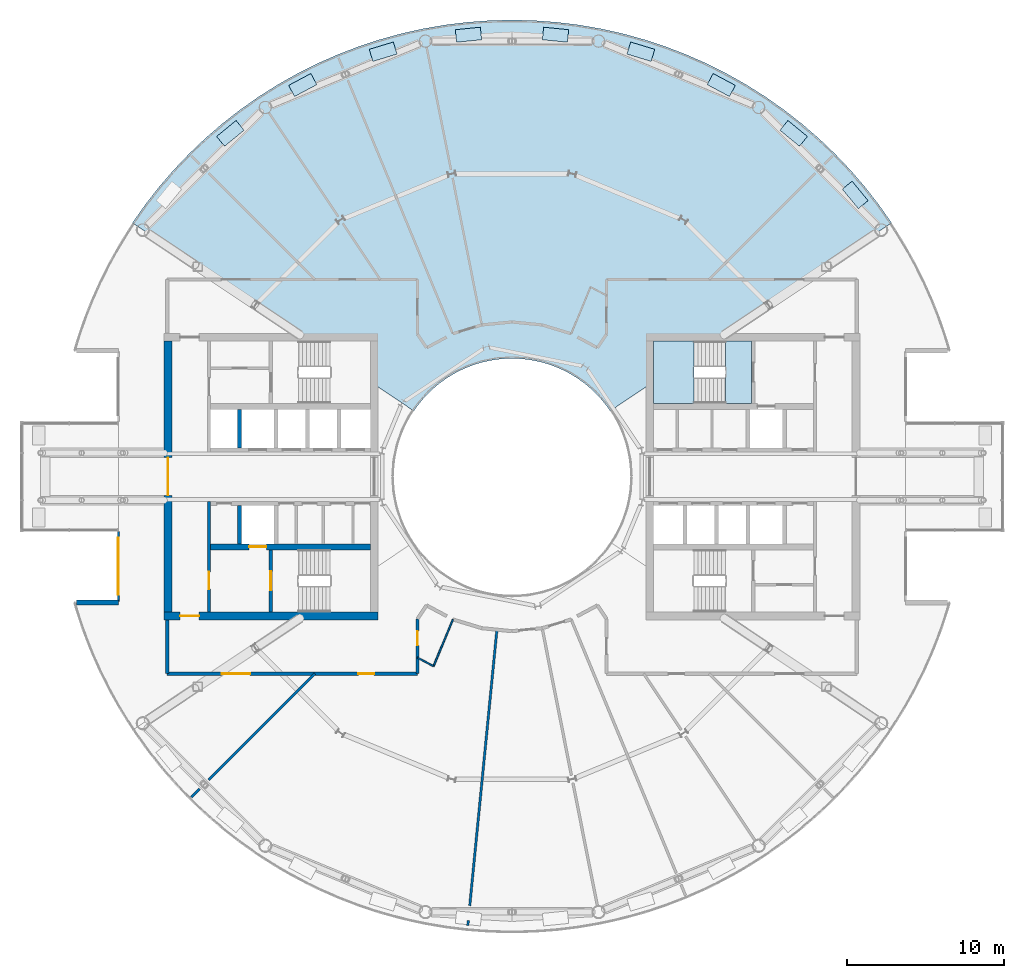
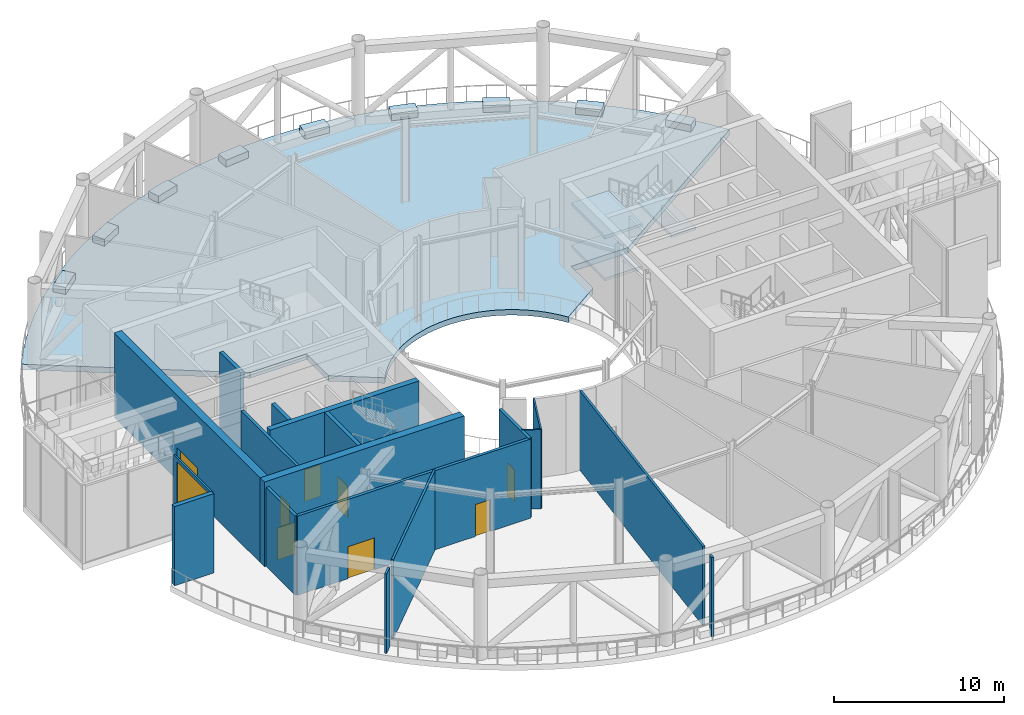
# One storey, part 12 of 24: 18 walls, 13 slabs, 8 doors, 1 window, 9 openings, 1 element without a shape of its own.
"""IFC4 building model written with IfcOpenShell, lengths in metres."""

import ifcopenshell
import ifcopenshell.guid

model = None  # the IFC model being written
_history = None  # IfcOwnerHistory: only IFC2X3 demands one
_inside = {}  # id of a spatial element -> (the spatial element, [elements in it])
_under = {}  # id of a project, library or spatial element -> (it, [spatial elements below it])
_declared = {}  # id of a project -> (the project, [libraries it declares])
_typed = {}  # id of a type object -> (the type object, [elements of that type])
_made_of = {}  # id of a material, layer set ... -> (it, [elements and type objects made of it])


def new_model(schema):
    """Start an empty IFC model of exactly this schema.

    Asked for "IFC4X3", IfcOpenShell would pick the latest addendum, in which some entities
    have other attributes; the version numbers below select the first issue.
    IFC2X3 requires an IfcOwnerHistory on every rooted entity: one is made here for all.
    """
    global model, _history
    if schema == "IFC4X3":
        model = ifcopenshell.file(schema_version=(4, 3, 0, 0))
    else:
        model = ifcopenshell.file(schema=schema)
    _inside.clear()
    _under.clear()
    _declared.clear()
    _typed.clear()
    _made_of.clear()
    _history = None
    if model.schema == "IFC2X3":
        org = make("IfcOrganization", Name="unknown")
        user = make(
            "IfcPersonAndOrganization",
            ThePerson=make("IfcPerson", FamilyName="unknown"),
            TheOrganization=org,
        )
        app = make(
            "IfcApplication",
            ApplicationDeveloper=org,
            Version="unknown",
            ApplicationFullName="unknown",
            ApplicationIdentifier="unknown",
        )
        _history = make(
            "IfcOwnerHistory",
            OwningUser=user,
            OwningApplication=app,
            ChangeAction="ADDED",
            CreationDate=0,
        )
    return model


def make(cls, **values):
    """One entity of the class cls with the attributes given. An attribute that is None is left unset."""
    return model.create_entity(
        cls, **{name: value for name, value in values.items() if value is not None}
    )


def rooted(cls, **values):
    """An entity with a GlobalId (a new one), such as an element, a storey or a relation."""
    return make(cls, GlobalId=ifcopenshell.guid.new(), OwnerHistory=_history, **values)


def si_unit(unit_type, name, prefix=None):
    """IfcSIUnit, for example si_unit("LENGTHUNIT", "METRE", prefix="MILLI")."""
    return make("IfcSIUnit", UnitType=unit_type, Prefix=prefix, Name=name)


def assignment(units):
    """IfcUnitAssignment: the units of a project."""
    return None if units is None else make("IfcUnitAssignment", Units=units)


def point(xyz):
    """IfcCartesianPoint."""
    return None if xyz is None else make("IfcCartesianPoint", Coordinates=xyz)


def direction(xyz):
    """IfcDirection."""
    return None if xyz is None else make("IfcDirection", DirectionRatios=xyz)


def frame(location, z_axis=None, x_axis=None):
    """IfcAxis2Placement3D, a coordinate frame: its origin and axes. An axis left out is left unset."""
    return make(
        "IfcAxis2Placement3D",
        Location=point(location),
        Axis=direction(z_axis),
        RefDirection=direction(x_axis),
    )


def frame_2d(location, x_axis=None):
    """IfcAxis2Placement2D, a coordinate frame in the plane: its origin and x axis."""
    return make(
        "IfcAxis2Placement2D", Location=point(location), RefDirection=direction(x_axis)
    )


def origin():
    """The frame at (0, 0, 0) with its axes left unset."""
    return frame((0.0, 0.0, 0.0))


def place(relative_to, where):
    """IfcLocalPlacement: puts the frame where relative to a parent placement (None: the world)."""
    return make(
        "IfcLocalPlacement", PlacementRelTo=relative_to, RelativePlacement=where
    )


def context(
    kind, dimensions, precision=None, world=None, true_north=None, identifier=None
):
    """IfcGeometricRepresentationContext, for example the 3D "Model" context."""
    return make(
        "IfcGeometricRepresentationContext",
        ContextIdentifier=identifier,
        ContextType=kind,
        CoordinateSpaceDimension=dimensions,
        Precision=precision,
        WorldCoordinateSystem=world,
        TrueNorth=true_north,
    )


def subcontext(parent, identifier, kind, view, scale=None):
    """IfcGeometricRepresentationSubContext, for example "Body" below "Model"."""
    return make(
        "IfcGeometricRepresentationSubContext",
        ContextIdentifier=identifier,
        ContextType=kind,
        ParentContext=parent,
        TargetScale=scale,
        TargetView=view,
    )


def project(units=None, contexts=None):
    """IfcProject with its units and contexts."""
    return rooted(
        "IfcProject",
        Name="project",
        RepresentationContexts=contexts,
        UnitsInContext=assignment(units),
    )


def spatial(cls, under=None, at=None, **own):
    """A site, building, storey or space (cls), placed at a placement, below another one or the project."""
    s = rooted(cls, ObjectPlacement=at, **own)
    if under is not None:
        _under.setdefault(under.id(), (under, []))[1].append(s)
    return s


def polyline(points):
    """IfcPolyline through the points."""
    return make("IfcPolyline", Points=[point(p) for p in points])


def profile(cls, at=None, kind="AREA", **sizes):
    """A parametric profile (cls). Its sizes go by their IFC names, for example OverallWidth=200.0."""
    return make(cls, ProfileType=kind, Position=at, **sizes)


def rectangle(**sizes):
    """IfcRectangleProfileDef."""
    return profile("IfcRectangleProfileDef", **sizes)


def outline(outer, holes=None, kind="AREA"):
    """IfcArbitraryClosedProfileDef: a profile drawn as a closed curve; with holes, ...WithVoids."""
    if holes is None:
        return make("IfcArbitraryClosedProfileDef", ProfileType=kind, OuterCurve=outer)
    return make(
        "IfcArbitraryProfileDefWithVoids",
        ProfileType=kind,
        OuterCurve=outer,
        InnerCurves=holes,
    )


def extrude(swept, where, along, depth):
    """IfcExtrudedAreaSolid: the profile swept, set in the frame where, extruded along a direction by depth."""
    return make(
        "IfcExtrudedAreaSolid",
        SweptArea=swept,
        Position=where,
        ExtrudedDirection=direction(along),
        Depth=depth,
    )


def shape(context_of_items, identifier, shape_type, items):
    """IfcShapeRepresentation: the items that make up one representation, for example the "Body"."""
    return make(
        "IfcShapeRepresentation",
        ContextOfItems=context_of_items,
        RepresentationIdentifier=identifier,
        RepresentationType=shape_type,
        Items=items,
    )


def material(Name=None, Category=None):
    """IfcMaterial."""
    return make("IfcMaterial", Name=Name, Category=Category)


def layer(
    of_material, thickness, ventilated=None, Name=None, Category=None, Priority=None
):
    """IfcMaterialLayer: one layer of a wall or slab, of a material (None: an air gap)."""
    return make(
        "IfcMaterialLayer",
        Material=of_material,
        LayerThickness=thickness,
        IsVentilated=ventilated,
        Name=Name,
        Category=Category,
        Priority=Priority,
    )


def layer_set(layers, Name=None):
    """IfcMaterialLayerSet."""
    return make("IfcMaterialLayerSet", MaterialLayers=layers, LayerSetName=Name)


def made_of(thing, what):
    """Note that an element or type object is made of a material, layer set ...; save() writes the relation."""
    if what is not None:
        _made_of.setdefault(what.id(), (what, []))[1].append(thing)
    return thing


def type_object(cls, material=None, **own):
    """A type object (cls), such as IfcWallType, which elements share."""
    return made_of(rooted(cls, **own), material)


def element(
    cls,
    number,
    at=None,
    inside=None,
    cuts=None,
    type_object=None,
    material=None,
    context=None,
    identifier="Body",
    shape_type=None,
    held_by="IfcProductDefinitionShape",
    body=None,
    shapes=None,
    **own,
):
    """One element of the class cls, such as IfcWall. Its Tag is "e" and its number.

    at: its placement. inside: the storey or other place that contains it. cuts: it is an
    opening in that element (IfcRelVoidsElement). A single representation is given by context,
    identifier, shape_type and body (its items); several are given by shapes. held_by: the class
    of the entity that holds the representations. save() writes the other relations.
    """
    e = rooted(cls, Tag="e%d" % number, ObjectPlacement=at, **own)
    if body is not None:
        shapes = [shape(context, identifier, shape_type, body)]
    if shapes is not None:
        e.Representation = make(held_by, Representations=shapes)
    if inside is not None:
        _inside.setdefault(inside.id(), (inside, []))[1].append(e)
    if cuts is not None:
        rooted(
            "IfcRelVoidsElement", RelatingBuildingElement=cuts, RelatedOpeningElement=e
        )
    if type_object is not None:
        _typed.setdefault(type_object.id(), (type_object, []))[1].append(e)
    return made_of(e, material)


def fill(opening, filler):
    """IfcRelFillsElement: the door or window that sits in an opening."""
    return rooted(
        "IfcRelFillsElement",
        RelatingOpeningElement=opening,
        RelatedBuildingElement=filler,
    )


def aggregate(whole, parts):
    """IfcRelAggregates: a whole, such as a stair, and the parts it consists of."""
    return rooted("IfcRelAggregates", RelatingObject=whole, RelatedObjects=parts)


def save(model, path):
    """Write the relations noted so far, then the file.

    IfcRelAggregates (storeys below a building ...), IfcRelContainedInSpatialStructure (elements
    in a storey), IfcRelDefinesByType, IfcRelAssociatesMaterial and IfcRelDeclares: one each for
    every whole, place, type object, material and project.
    """
    for whole, parts in _under.values():
        aggregate(whole, parts)
    for where, things in _inside.values():
        rooted(
            "IfcRelContainedInSpatialStructure",
            RelatedElements=things,
            RelatingStructure=where,
        )
    for kind, things in _typed.values():
        rooted("IfcRelDefinesByType", RelatedObjects=things, RelatingType=kind)
    for what, things in _made_of.values():
        rooted("IfcRelAssociatesMaterial", RelatedObjects=things, RelatingMaterial=what)
    for by, libraries in _declared.values():
        rooted("IfcRelDeclares", RelatingContext=by, RelatedDefinitions=libraries)
    model.write(path)


model = new_model("IFC4")

# Units and contexts
model_context = context("Model", 3, precision=1e-05, world=origin(), true_north=direction((0.0, 1.0)))
body_context = subcontext(model_context, "Body", "Model", "MODEL_VIEW")
ifc_project = project(units=[si_unit("LENGTHUNIT", "METRE"), si_unit("AREAUNIT", "SQUARE_METRE"), si_unit("VOLUMEUNIT", "CUBIC_METRE"), si_unit("PLANEANGLEUNIT", "RADIAN"), si_unit("MASSUNIT", "GRAM", prefix="KILO")], contexts=[model_context])

# Site, building, storey
site_placement = place(None, origin())
site = spatial("IfcSite", under=ifc_project, at=site_placement, CompositionType="ELEMENT")
building_placement = place(site_placement, origin())
building = spatial("IfcBuilding", under=site, at=building_placement, Name="Maasbend Ring Residences", CompositionType="ELEMENT")
storey_placement = place(building_placement, frame((0.0, 0.0, 179.89990234375)))
storey = spatial("IfcBuildingStorey", under=building, at=storey_placement, Name="L52", CompositionType="ELEMENT", Elevation=179.89990234375)

# Stair, slabs
ifc_material_1 = material(Name="Concrete C40/50", Category="concrete")
stair_type = type_object("IfcStairType", Name="CORE STAIR 36 RISERS", PredefinedType="HALF_TURN_STAIR", material=ifc_material_1)
stair_placement = place(storey_placement, origin())
stair = element("IfcStair", 1, at=stair_placement, inside=storey, type_object=stair_type, Name="L52 Exit stair ST-E1", PredefinedType="HALF_TURN_STAIR")
ifc_material_2 = material(Name="Concrete C40/50", Category="concrete")
ifc_layer_1 = layer(ifc_material_2, 0.199951171875)
ifc_layer_set_1 = layer_set([ifc_layer_1], Name="Concrete C40/50")
slab_type_1 = type_object("IfcSlabType", Name="CORE STAIR LANDING 200", PredefinedType="LANDING", material=ifc_layer_set_1)
slab_1_placement = place(storey_placement, frame((0.0, 0.0, 1.3251953125)))
slab_1 = element("IfcSlab", 2, at=slab_1_placement, type_object=slab_type_1, Name="ST-E1 landing 1", PredefinedType="LANDING", context=body_context, shape_type="SweptSolid", body=[
    extrude(outline(polyline([(11.550048828125, 8.60009765625), (9.0, 8.60009765625), (9.0, 4.64990234375), (11.550048828125, 4.64990234375), (11.550048828125, 8.60009765625)])), origin(), (0.0, 0.0, 1.0), 0.199951171875),
])
slab_2_placement = place(storey_placement, frame((0.0, 0.0, 2.85009765625)))
slab_2 = element("IfcSlab", 3, at=slab_2_placement, type_object=slab_type_1, Name="ST-E1 landing 2", PredefinedType="LANDING", context=body_context, shape_type="SweptSolid", body=[
    extrude(outline(polyline([(15.199951171875, 8.60009765625), (13.550048828125, 8.60009765625), (13.550048828125, 4.64990234375), (15.199951171875, 4.64990234375), (15.199951171875, 8.60009765625)])), origin(), (0.0, 0.0, 1.0), 0.199951171875),
])
slab_3_placement = place(storey_placement, frame((0.0, 0.0, 4.375)))
slab_3 = element("IfcSlab", 4, at=slab_3_placement, type_object=slab_type_1, Name="ST-E1 landing 3", PredefinedType="LANDING", context=body_context, shape_type="SweptSolid", body=[
    extrude(outline(polyline([(11.550048828125, 8.60009765625), (9.0, 8.60009765625), (9.0, 4.64990234375), (11.550048828125, 4.64990234375), (11.550048828125, 8.60009765625)])), origin(), (0.0, 0.0, 1.0), 0.2001953125),
])
aggregate(stair, [slab_1, slab_2, slab_3])

# Slabs
ifc_material_3 = material(Name="Lawn and planting")
ifc_layer_2 = layer(ifc_material_3, 0.5)
ifc_layer_set_2 = layer_set([ifc_layer_2], Name="PLANTER-GD")
slab_type_2 = type_object("IfcSlabType", Name="PLANTER-GD", PredefinedType="USERDEFINED", material=ifc_layer_set_2)
slab_4_placement = place(storey_placement, origin())
element("IfcSlab", 5, at=slab_4_placement, inside=storey, type_object=slab_type_2, Name="Garden planter 1", ObjectType="PLANTER", PredefinedType="USERDEFINED", context=body_context, shape_type="SweptSolid", body=[
    extrude(outline(polyline([(22.615966796875, 17.52490234375), (21.60107421875, 18.761962890625), (20.98193359375, 18.2548828125), (21.9970703125, 17.01806640625), (22.615966796875, 17.52490234375)])), origin(), (0.0, 0.0, 1.0), 0.5),
])
slab_5_placement = place(storey_placement, origin())
element("IfcSlab", 6, at=slab_5_placement, inside=storey, type_object=slab_type_2, Name="Garden planter 2", ObjectType="PLANTER", PredefinedType="USERDEFINED", context=body_context, shape_type="SweptSolid", body=[
    extrude(outline(polyline([(18.761962890625, 21.60107421875), (17.52490234375, 22.615966796875), (17.01806640625, 21.9970703125), (18.2548828125, 20.98193359375), (18.761962890625, 21.60107421875)])), origin(), (0.0, 0.0, 1.0), 0.5),
])
slab_6_placement = place(storey_placement, origin())
element("IfcSlab", 7, at=slab_6_placement, inside=storey, type_object=slab_type_2, Name="Garden planter 3", ObjectType="PLANTER", PredefinedType="USERDEFINED", context=body_context, shape_type="SweptSolid", body=[
    extrude(outline(polyline([(14.18701171875, 24.845947265625), (12.77587890625, 25.60009765625), (12.39892578125, 24.89501953125), (13.81005859375, 24.139892578125), (14.18701171875, 24.845947265625)])), origin(), (0.0, 0.0, 1.0), 0.5),
])
slab_7_placement = place(storey_placement, origin())
element("IfcSlab", 8, at=slab_7_placement, inside=storey, type_object=slab_type_2, Name="Garden planter 4", ObjectType="PLANTER", PredefinedType="USERDEFINED", context=body_context, shape_type="SweptSolid", body=[
    extrude(outline(polyline([(9.068115234375, 27.135986328125), (7.537109375, 27.60107421875), (7.303955078125, 26.8349609375), (8.8349609375, 26.37109375), (9.068115234375, 27.135986328125)])), origin(), (0.0, 0.0, 1.0), 0.5),
])
slab_8_placement = place(storey_placement, origin())
element("IfcSlab", 9, at=slab_8_placement, inside=storey, type_object=slab_type_2, Name="Garden planter 5", ObjectType="PLANTER", PredefinedType="USERDEFINED", context=body_context, shape_type="SweptSolid", body=[
    extrude(outline(polyline([(3.59912109375, 28.384033203125), (2.007080078125, 28.541015625), (1.928955078125, 27.7451171875), (3.52099609375, 27.587890625), (3.59912109375, 28.384033203125)])), origin(), (0.0, 0.0, 1.0), 0.5),
])
slab_9_placement = place(storey_placement, origin())
element("IfcSlab", 10, at=slab_9_placement, inside=storey, type_object=slab_type_2, Name="Garden planter 6", ObjectType="PLANTER", PredefinedType="USERDEFINED", context=body_context, shape_type="SweptSolid", body=[
    extrude(outline(polyline([(-2.007080078125, 28.541015625), (-3.59912109375, 28.384033203125), (-3.52099609375, 27.587890625), (-1.928955078125, 27.7451171875), (-2.007080078125, 28.541015625)])), origin(), (0.0, 0.0, 1.0), 0.5),
])
slab_10_placement = place(storey_placement, origin())
element("IfcSlab", 11, at=slab_10_placement, inside=storey, type_object=slab_type_2, Name="Garden planter 7", ObjectType="PLANTER", PredefinedType="USERDEFINED", context=body_context, shape_type="SweptSolid", body=[
    extrude(outline(polyline([(-7.537109375, 27.60107421875), (-9.068115234375, 27.135986328125), (-8.8349609375, 26.37109375), (-7.303955078125, 26.8349609375), (-7.537109375, 27.60107421875)])), origin(), (0.0, 0.0, 1.0), 0.5),
])
slab_11_placement = place(storey_placement, origin())
element("IfcSlab", 12, at=slab_11_placement, inside=storey, type_object=slab_type_2, Name="Garden planter 8", ObjectType="PLANTER", PredefinedType="USERDEFINED", context=body_context, shape_type="SweptSolid", body=[
    extrude(outline(polyline([(-12.77587890625, 25.60009765625), (-14.18701171875, 24.845947265625), (-13.81005859375, 24.139892578125), (-12.39892578125, 24.89501953125), (-12.77587890625, 25.60009765625)])), origin(), (0.0, 0.0, 1.0), 0.5),
])
slab_12_placement = place(storey_placement, origin())
element("IfcSlab", 13, at=slab_12_placement, inside=storey, type_object=slab_type_2, Name="Garden planter 9", ObjectType="PLANTER", PredefinedType="USERDEFINED", context=body_context, shape_type="SweptSolid", body=[
    extrude(outline(polyline([(-17.52490234375, 22.615966796875), (-18.761962890625, 21.60107421875), (-18.2548828125, 20.98193359375), (-17.01806640625, 21.9970703125), (-17.52490234375, 22.615966796875)])), origin(), (0.0, 0.0, 1.0), 0.5),
])
ifc_material_4 = material(Name="Concrete C40/50", Category="concrete")
ifc_layer_3 = layer(ifc_material_4, 0.39990234375)
ifc_layer_set_3 = layer_set([ifc_layer_3], Name="Concrete C40/50")
slab_type_3 = type_object("IfcSlabType", Name="Post-tensioned flat plate 400", PredefinedType="FLOOR", material=ifc_layer_set_3)
slab_13_placement = place(storey_placement, frame((0.0, 0.0, -0.39990234375)))
element("IfcSlab", 14, at=slab_13_placement, inside=storey, type_object=slab_type_3, Name="Floor slab L52 sky garden", PredefinedType="FLOOR", context=body_context, shape_type="SweptSolid", body=[
    extrude(outline(polyline([(-24.112548828125, 16.111572265625), (-12.870849609375, 8.60009765625), (-9.0, 8.60009765625), (-9.0, 6.013671875), (-6.236083984375, 4.166748046875), (-6.024169921875, 4.4677734375), (-5.797607421875, 4.7578125), (-5.55712890625, 5.03662109375), (-5.30322265625, 5.30322265625), (-5.03662109375, 5.55712890625), (-4.7578125, 5.797607421875), (-4.4677734375, 6.024169921875), (-4.166748046875, 6.236083984375), (-3.855712890625, 6.43310546875), (-3.535400390625, 6.614501953125), (-3.206787109375, 6.77978515625), (-2.8701171875, 6.92919921875), (-2.526611328125, 7.0615234375), (-2.177001953125, 7.177001953125), (-1.822509765625, 7.275146484375), (-1.463134765625, 7.35595703125), (-1.1005859375, 7.418701171875), (-0.735107421875, 7.4638671875), (-0.367919921875, 7.490966796875), (0.0, 7.5), (0.367919921875, 7.490966796875), (0.735107421875, 7.4638671875), (1.1005859375, 7.418701171875), (1.463134765625, 7.35595703125), (1.822509765625, 7.275146484375), (2.177001953125, 7.177001953125), (2.526611328125, 7.0615234375), (2.8701171875, 6.92919921875), (3.206787109375, 6.77978515625), (3.535400390625, 6.614501953125), (3.855712890625, 6.43310546875), (4.166748046875, 6.236083984375), (4.4677734375, 6.024169921875), (4.7578125, 5.797607421875), (5.03662109375, 5.55712890625), (5.30322265625, 5.30322265625), (5.55712890625, 5.03662109375), (5.797607421875, 4.7578125), (6.024169921875, 4.4677734375), (6.236083984375, 4.166748046875), (9.0, 6.013671875), (9.0, 8.60009765625), (12.870849609375, 8.60009765625), (24.112548828125, 16.111572265625), (23.29296875, 17.275390625), (22.417236328125, 18.3974609375), (21.487548828125, 19.47509765625), (20.506103515625, 20.506103515625), (19.47509765625, 21.487548828125), (18.3974609375, 22.417236328125), (17.275390625, 23.29296875), (16.111572265625, 24.112548828125), (14.908935546875, 24.8740234375), (13.67041015625, 25.57568359375), (12.399169921875, 26.2158203125), (11.097900390625, 26.79248046875), (9.769775390625, 27.3046875), (8.418212890625, 27.751220703125), (7.04638671875, 28.130859375), (5.65771484375, 28.44287109375), (4.255126953125, 28.68603515625), (2.842529296875, 28.8603515625), (1.423095703125, 28.965087890625), (0.0, 29.0), (-1.423095703125, 28.965087890625), (-2.842529296875, 28.8603515625), (-4.255126953125, 28.68603515625), (-5.65771484375, 28.44287109375), (-7.04638671875, 28.130859375), (-8.418212890625, 27.751220703125), (-9.769775390625, 27.3046875), (-11.097900390625, 26.79248046875), (-12.399169921875, 26.2158203125), (-13.67041015625, 25.57568359375), (-14.908935546875, 24.8740234375), (-16.111572265625, 24.112548828125), (-17.275390625, 23.29296875), (-18.3974609375, 22.417236328125), (-19.47509765625, 21.487548828125), (-20.506103515625, 20.506103515625), (-21.487548828125, 19.47509765625), (-22.417236328125, 18.3974609375), (-23.29296875, 17.275390625), (-24.112548828125, 16.111572265625)])), origin(), (0.0, 0.0, 1.0), 0.39990234375),
])

# Wall, opening, door
ifc_material_5 = material(Name="Concrete C60/75", Category="concrete")
ifc_layer_4 = layer(ifc_material_5, 0.25)
ifc_layer_set_4 = layer_set([ifc_layer_4], Name="Concrete C60/75")
wall_type_1 = type_object("IfcWallType", Name="CORE WALL 250 C60/75", PredefinedType="SHEAR", material=ifc_layer_set_4)
wall_1_placement = place(storey_placement, frame((-15.324951171875, -4.64990234375, 0.0), z_axis=(0.0, 0.0, 1.0), x_axis=(0.0, -1.0, 0.0)))
wall_1 = element("IfcWall", 15, at=wall_1_placement, inside=storey, type_object=wall_type_1, Name="L52 core W wall STEN", PredefinedType="SHEAR", context=body_context, shape_type="SweptSolid", body=[
    extrude(rectangle(XDim=3.9501953125, YDim=0.25, at=frame_2d((1.97509765625, 0.0))), origin(), (0.0, 0.0, 1.0), 6.10009765625),
])
opening_1_placement = place(wall_1_placement, frame((1.375, 0.0, 0.0)))
opening_1 = element("IfcOpeningElement", 16, at=opening_1_placement, cuts=wall_1, Name="Opening D-W5212", PredefinedType="OPENING", context=body_context, shape_type="SweptSolid", body=[
    extrude(rectangle(XDim=1.199951171875, YDim=2.300048828125, at=frame_2d((0.60009765625, 1.14990234375))), frame((0.0, 0.135009765625, 0.0), z_axis=(0.0, -1.0, 0.0), x_axis=(1.0, 0.0, 0.0)), (0.0, 0.0, 1.0), 0.27001953125),
])
ifc_material_6 = material(Name="Steel, powder coated", Category="steel")
door_type_1 = type_object("IfcDoorType", Name="STAIR DOOR 1200 X 2300 FD60", OperationType="NOTDEFINED", PredefinedType="DOOR", material=ifc_material_6)
door_1_placement = place(opening_1_placement, origin())
door_1 = element("IfcDoor", 17, at=door_1_placement, inside=storey, type_object=door_type_1, Name="Stair door ST-W L52", OperationType="SINGLE_SWING_LEFT", OverallHeight=2.300048828125, OverallWidth=1.199951171875, PredefinedType="DOOR", context=body_context, shape_type="SweptSolid", body=[
    extrude(rectangle(XDim=1.199951171875, YDim=2.300048828125, at=frame_2d((0.60009765625, 1.14990234375))), frame((0.0, 0.02490234375, 0.0), z_axis=(0.0, -1.0, 0.0), x_axis=(1.0, 0.0, 0.0)), (0.0, 0.0, 1.0), 0.050048828125),
])
fill(opening_1, door_1)

ifc_material_7 = material(Name="Concrete C60/75", Category="concrete")
ifc_layer_5 = layer(ifc_material_7, 0.375)
ifc_layer_set_5 = layer_set([ifc_layer_5], Name="Concrete C60/75")
wall_type_2 = type_object("IfcWallType", Name="CORE WALL 375 C60/75", PredefinedType="SHEAR", material=ifc_layer_set_5)
wall_2_placement = place(storey_placement, frame((-9.0, -4.46240234375, 0.0), z_axis=(0.0, 0.0, 1.0), x_axis=(-1.0, 0.0, 0.0)))
wall_2 = element("IfcWall", 18, at=wall_2_placement, inside=storey, type_object=wall_type_2, Name="L52 core W wall BN", PredefinedType="SHEAR", context=body_context, shape_type="SweptSolid", body=[
    extrude(rectangle(XDim=10.14990234375, YDim=0.375, at=frame_2d((5.074951171875, 0.0))), origin(), (0.0, 0.0, 1.0), 6.10009765625),
])
opening_2_placement = place(wall_2_placement, frame((6.60009765625, 0.0, 0.0)))
opening_2 = element("IfcOpeningElement", 19, at=opening_2_placement, cuts=wall_2, Name="Opening LD-W5201", PredefinedType="OPENING", context=body_context, shape_type="SweptSolid", body=[
    extrude(rectangle(XDim=1.10009765625, YDim=2.300048828125, at=frame_2d((0.550048828125, 1.14990234375))), frame((0.0, 0.197509765625, 0.0), z_axis=(0.0, -1.0, 0.0), x_axis=(1.0, 0.0, 0.0)), (0.0, 0.0, 1.0), 0.39501953125),
])
ifc_material_8 = material(Name="Stainless steel 316", Category="steel")
door_type_2 = type_object("IfcDoorType", Name="LANDING DOOR 1100 X 2300 FD60", OperationType="DOUBLE_DOOR_SLIDING", PredefinedType="DOOR", material=ifc_material_8)
door_2_placement = place(opening_2_placement, origin())
door_2 = element("IfcDoor", 20, at=door_2_placement, inside=storey, type_object=door_type_2, Name="Landing door FF-W L52", OperationType="DOUBLE_DOOR_SLIDING", OverallHeight=2.300048828125, OverallWidth=1.10009765625, PredefinedType="DOOR", context=body_context, shape_type="SweptSolid", body=[
    extrude(rectangle(XDim=1.10009765625, YDim=2.300048828125, at=frame_2d((0.550048828125, 1.14990234375))), frame((0.0, 0.02490234375, 0.0), z_axis=(0.0, -1.0, 0.0), x_axis=(1.0, 0.0, 0.0)), (0.0, 0.0, 1.0), 0.050048828125),
])
fill(opening_2, door_2)

ifc_material_9 = material(Name="Concrete C60/75", Category="concrete")
ifc_layer_6 = layer(ifc_material_9, 0.5)
ifc_layer_set_6 = layer_set([ifc_layer_6], Name="Concrete C60/75")
wall_type_3 = type_object("IfcWallType", Name="CORE WALL 500 C60/75", PredefinedType="SHEAR", material=ifc_layer_set_6)
wall_3_placement = place(storey_placement, frame((-22.10009765625, -8.85009765625, 0.0), z_axis=(0.0, 0.0, 1.0), x_axis=(1.0, 0.0, 0.0)))
wall_3 = element("IfcWall", 21, at=wall_3_placement, inside=storey, type_object=wall_type_3, Name="L52 core W wall PN", PredefinedType="SHEAR", context=body_context, shape_type="SweptSolid", body=[
    extrude(rectangle(XDim=13.60009765625, YDim=0.5, at=frame_2d((6.800048828125, 0.0))), origin(), (0.0, 0.0, 1.0), 6.10009765625),
])
opening_3_placement = place(wall_3_placement, frame((1.02490234375, 0.0, 0.0)))
opening_3 = element("IfcOpeningElement", 22, at=opening_3_placement, cuts=wall_3, Name="Opening D-W5216", PredefinedType="OPENING", context=body_context, shape_type="SweptSolid", body=[
    extrude(rectangle(XDim=1.199951171875, YDim=2.300048828125, at=frame_2d((0.60009765625, 1.14990234375))), frame((0.0, 0.260009765625, 0.0), z_axis=(0.0, -1.0, 0.0), x_axis=(1.0, 0.0, 0.0)), (0.0, 0.0, 1.0), 0.52001953125),
])
ifc_material_10 = material(Name="Steel, powder coated", Category="steel")
door_type_3 = type_object("IfcDoorType", Name="CORRIDOR DOOR 1200 X 2300 FD30S", OperationType="NOTDEFINED", PredefinedType="DOOR", material=ifc_material_10)
door_3_placement = place(opening_3_placement, origin())
door_3 = element("IfcDoor", 23, at=door_3_placement, inside=storey, type_object=door_type_3, Name="Corridor door L52", OperationType="SINGLE_SWING_RIGHT", OverallHeight=2.300048828125, OverallWidth=1.199951171875, PredefinedType="DOOR", context=body_context, shape_type="SweptSolid", body=[
    extrude(rectangle(XDim=1.199951171875, YDim=2.300048828125, at=frame_2d((0.60009765625, 1.14990234375))), frame((0.0, 0.02490234375, 0.0), z_axis=(0.0, -1.0, 0.0), x_axis=(1.0, 0.0, 0.0)), (0.0, 0.0, 1.0), 0.050048828125),
])
fill(opening_3, door_3)

wall_4_placement = place(storey_placement, frame((-21.85009765625, -8.60009765625, 0.0), z_axis=(0.0, 0.0, 1.0), x_axis=(0.0, 1.0, 0.0)))
wall_4 = element("IfcWall", 24, at=wall_4_placement, inside=storey, type_object=wall_type_3, Name="L52 core W wall POUT", PredefinedType="SHEAR", context=body_context, shape_type="SweptSolid", body=[
    extrude(rectangle(XDim=17.2001953125, YDim=0.5, at=frame_2d((8.60009765625, 0.0))), origin(), (0.0, 0.0, 1.0), 6.10009765625),
])
opening_4_placement = place(wall_4_placement, frame((7.39990234375, 0.0, 0.0)))
opening_4 = element("IfcOpeningElement", 25, at=opening_4_placement, cuts=wall_4, Name="Opening D-W5218", PredefinedType="OPENING", context=body_context, shape_type="SweptSolid", body=[
    extrude(rectangle(XDim=2.39990234375, YDim=2.300048828125, at=frame_2d((1.199951171875, 1.14990234375))), frame((0.0, 0.260009765625, 0.0), z_axis=(0.0, -1.0, 0.0), x_axis=(1.0, 0.0, 0.0)), (0.0, 0.0, 1.0), 0.52001953125),
])
ifc_material_11 = material(Name="Aluminium frame, clear glass", Category="aluminium")
door_type_4 = type_object("IfcDoorType", Name="ENTRANCE DOOR 2400 X 2300 FD60", OperationType="NOTDEFINED", PredefinedType="DOOR", material=ifc_material_11)
door_4_placement = place(opening_4_placement, origin())
door_4 = element("IfcDoor", 26, at=door_4_placement, inside=storey, type_object=door_type_4, Name="Lobby glazed door L52", OperationType="SINGLE_SWING_LEFT", OverallHeight=2.300048828125, OverallWidth=2.39990234375, PredefinedType="DOOR", context=body_context, shape_type="SweptSolid", body=[
    extrude(rectangle(XDim=2.39990234375, YDim=2.300048828125, at=frame_2d((1.199951171875, 1.14990234375))), frame((0.0, 0.02490234375, 0.0), z_axis=(0.0, -1.0, 0.0), x_axis=(1.0, 0.0, 0.0)), (0.0, 0.0, 1.0), 0.050048828125),
])
fill(opening_4, door_4)

# Wall, openings, doors
ifc_material_12 = material(Name="Concrete C30/37", Category="concrete")
ifc_layer_7 = layer(ifc_material_12, 0.199951171875)
ifc_layer_set_7 = layer_set([ifc_layer_7], Name="Concrete C30/37")
wall_type_4 = type_object("IfcWallType", Name="CORRIDOR WALL 200 CONCRETE", PredefinedType="PARTITIONING", material=ifc_layer_set_7)
wall_5_placement = place(storey_placement, frame((-21.89990234375, -12.52001953125, 0.0), z_axis=(0.0, 0.0, 1.0), x_axis=(1.0, 0.0, 0.0)))
wall_5 = element("IfcWall", 27, at=wall_5_placement, inside=storey, type_object=wall_type_4, Name="U-L52-w004", PredefinedType="PARTITIONING", context=body_context, shape_type="SweptSolid", body=[
    extrude(rectangle(XDim=15.89990234375, YDim=0.199951171875, at=frame_2d((7.949951171875, 0.0))), origin(), (0.0, 0.0, 1.0), 5.7001953125),
])
opening_5_placement = place(wall_5_placement, frame((12.139892578125, 0.0, 0.0)))
opening_5 = element("IfcOpeningElement", 28, at=opening_5_placement, cuts=wall_5, Name="Opening D-5207", PredefinedType="OPENING", context=body_context, shape_type="SweptSolid", body=[
    extrude(rectangle(XDim=1.0, YDim=2.300048828125, at=frame_2d((0.5, 1.14990234375))), frame((0.0, 0.10986328125, 0.0), z_axis=(0.0, -1.0, 0.0), x_axis=(1.0, 0.0, 0.0)), (0.0, 0.0, 1.0), 0.219970703125),
])
opening_6_placement = place(wall_5_placement, frame((3.4619140625, 0.0, 0.0)))
opening_6 = element("IfcOpeningElement", 29, at=opening_6_placement, cuts=wall_5, Name="Opening D-5213", PredefinedType="OPENING", context=body_context, shape_type="SweptSolid", body=[
    extrude(rectangle(XDim=1.800048828125, YDim=2.300048828125, at=frame_2d((0.89990234375, 1.14990234375))), frame((0.0, 0.10986328125, 0.0), z_axis=(0.0, -1.0, 0.0), x_axis=(1.0, 0.0, 0.0)), (0.0, 0.0, 1.0), 0.219970703125),
])
ifc_material_13 = material(Name="Timber, painted", Category="wood")
door_type_5 = type_object("IfcDoorType", Name="DOUBLE DOOR 1800 X 2300", OperationType="NOTDEFINED", PredefinedType="DOOR", material=ifc_material_13)
door_5_placement = place(opening_6_placement, origin())
door_5 = element("IfcDoor", 30, at=door_5_placement, inside=storey, type_object=door_type_5, Name="D-5213", OperationType="DOUBLE_DOOR_SINGLE_SWING", OverallHeight=2.300048828125, OverallWidth=1.800048828125, PredefinedType="DOOR", context=body_context, shape_type="SweptSolid", body=[
    extrude(rectangle(XDim=1.800048828125, YDim=2.300048828125, at=frame_2d((0.89990234375, 1.14990234375))), frame((0.0, 0.02490234375, 0.0), z_axis=(0.0, -1.0, 0.0), x_axis=(1.0, 0.0, 0.0)), (0.0, 0.0, 1.0), 0.050048828125),
])
fill(opening_6, door_5)
ifc_material_14 = material(Name="Timber, painted", Category="wood")
door_type_6 = type_object("IfcDoorType", Name="ROOM DOOR 1000 X 2300", OperationType="NOTDEFINED", PredefinedType="DOOR", material=ifc_material_14)
door_6_placement = place(opening_5_placement, origin())
door_6 = element("IfcDoor", 31, at=door_6_placement, inside=storey, type_object=door_type_6, Name="D-5207", OperationType="SINGLE_SWING_RIGHT", OverallHeight=2.300048828125, OverallWidth=1.0, PredefinedType="DOOR", context=body_context, shape_type="SweptSolid", body=[
    extrude(rectangle(XDim=1.0, YDim=2.300048828125, at=frame_2d((0.5, 1.14990234375))), frame((0.0, 0.02490234375, 0.0), z_axis=(0.0, -1.0, 0.0), x_axis=(1.0, 0.0, 0.0)), (0.0, 0.0, 1.0), 0.050048828125),
])
fill(opening_5, door_6)

# Wall, opening, door
wall_6_placement = place(storey_placement, frame((-6.0, -12.52001953125, 0.0), z_axis=(0.0, 0.0, 1.0), x_axis=(0.0, 1.0, 0.0)))
wall_6 = element("IfcWall", 32, at=wall_6_placement, inside=storey, type_object=wall_type_4, Name="U-L52-w042", PredefinedType="PARTITIONING", context=body_context, shape_type="SweptSolid", body=[
    extrude(rectangle(XDim=3.486083984375, YDim=0.199951171875, at=frame_2d((1.7431640625, 0.0))), origin(), (0.0, 0.0, 1.0), 5.7001953125),
])
opening_7_placement = place(wall_6_placement, frame((1.802001953125, 0.0, 0.0)))
opening_7 = element("IfcOpeningElement", 33, at=opening_7_placement, cuts=wall_6, Name="Opening D-5206", PredefinedType="OPENING", context=body_context, shape_type="SweptSolid", body=[
    extrude(rectangle(XDim=0.89990234375, YDim=2.300048828125, at=frame_2d((0.449951171875, 1.14990234375))), frame((0.0, 0.10986328125, 0.0), z_axis=(0.0, -1.0, 0.0), x_axis=(1.0, 0.0, 0.0)), (0.0, 0.0, 1.0), 0.219970703125),
])
ifc_material_15 = material(Name="Timber, painted", Category="wood")
door_type_7 = type_object("IfcDoorType", Name="INTERNAL DOOR 900 X 2300", OperationType="NOTDEFINED", PredefinedType="DOOR", material=ifc_material_15)
door_7_placement = place(opening_7_placement, origin())
door_7 = element("IfcDoor", 34, at=door_7_placement, inside=storey, type_object=door_type_7, Name="D-5206", OperationType="SINGLE_SWING_RIGHT", OverallHeight=2.300048828125, OverallWidth=0.89990234375, PredefinedType="DOOR", context=body_context, shape_type="SweptSolid", body=[
    extrude(rectangle(XDim=0.89990234375, YDim=2.300048828125, at=frame_2d((0.449951171875, 1.14990234375))), frame((0.0, 0.02490234375, 0.0), z_axis=(0.0, -1.0, 0.0), x_axis=(1.0, 0.0, 0.0)), (0.0, 0.0, 1.0), 0.050048828125),
])
fill(opening_7, door_7)

# Walls
wall_7_placement = place(storey_placement, frame((-21.89990234375, -12.52001953125, 0.0), z_axis=(0.0, 0.0, 1.0), x_axis=(0.0, 1.0, 0.0)))
element("IfcWall", 35, at=wall_7_placement, inside=storey, type_object=wall_type_4, Name="U-L52-w053", PredefinedType="PARTITIONING", context=body_context, shape_type="SweptSolid", body=[
    extrude(rectangle(XDim=3.39990234375, YDim=0.199951171875, at=frame_2d((1.699951171875, 0.0))), origin(), (0.0, 0.0, 1.0), 5.7001953125),
])
ifc_material_16 = material(Name="Aluminium clad insulated panel", Category="aluminium")
ifc_layer_8 = layer(ifc_material_16, 0.300048828125)
ifc_layer_set_8 = layer_set([ifc_layer_8], Name="EW-RET")
wall_type_5 = type_object("IfcWallType", Name="EW-RET", PredefinedType="SOLIDWALL", material=ifc_layer_set_8)
wall_8_placement = place(storey_placement, frame((-25.0, -8.0, 0.0), z_axis=(0.0, 0.0, 1.0), x_axis=(-1.0, 0.0, 0.0)))
element("IfcWall", 36, at=wall_8_placement, inside=storey, type_object=wall_type_5, Name="Notch return wall west south", PredefinedType="SOLIDWALL", context=body_context, shape_type="SweptSolid", body=[
    extrude(rectangle(XDim=2.6669921875, YDim=0.300048828125, at=frame_2d((1.33349609375, 0.0))), origin(), (0.0, 0.0, 1.0), 5.7001953125),
])

# Wall, opening, window
ifc_material_17 = material(Name="Aluminium frame and clear glass", Category="aluminium")
ifc_layer_9 = layer(ifc_material_17, 0.1201171875)
ifc_layer_set_9 = layer_set([ifc_layer_9], Name="GLAZED SCREEN WALL 120 EI 60")
wall_type_6 = type_object("IfcWallType", Name="GLAZED SCREEN WALL 120 EI 60", PredefinedType="PARTITIONING", material=ifc_layer_set_9)
wall_9_placement = place(storey_placement, frame((-25.0, -3.5, 0.0), z_axis=(0.0, 0.0, 1.0), x_axis=(0.0, -1.0, 0.0)))
wall_9 = element("IfcWall", 37, at=wall_9_placement, inside=storey, type_object=wall_type_6, Name="L52 core W wall FACEB", PredefinedType="PARTITIONING", context=body_context, shape_type="SweptSolid", body=[
    extrude(rectangle(XDim=4.449951171875, YDim=0.1201171875, at=frame_2d((2.22509765625, 0.0))), origin(), (0.0, 0.0, 1.0), 5.7001953125),
])
opening_8_placement = place(wall_9_placement, frame((0.39990234375, 0.0, 0.10009765625)))
opening_8 = element("IfcOpeningElement", 38, at=opening_8_placement, cuts=wall_9, Name="Opening W-W5203", PredefinedType="OPENING", context=body_context, shape_type="SweptSolid", body=[
    extrude(rectangle(XDim=3.60009765625, YDim=5.35009765625, at=frame_2d((1.800048828125, 2.675048828125))), frame((0.0, 0.070068359375, 0.0), z_axis=(0.0, -1.0, 0.0), x_axis=(1.0, 0.0, 0.0)), (0.0, 0.0, 1.0), 0.14013671875),
])
ifc_material_18 = material(Name="Aluminium frame and clear glass", Category="aluminium")
window_type = type_object("IfcWindowType", Name="FIXED WINDOW 3600 X 5350", PartitioningType="SINGLE_PANEL", PredefinedType="WINDOW", material=ifc_material_18)
window_placement = place(opening_8_placement, origin())
window = element("IfcWindow", 39, at=window_placement, inside=storey, type_object=window_type, Name="Lobby window L52", OverallHeight=5.35009765625, OverallWidth=3.60009765625, PartitioningType="SINGLE_PANEL", PredefinedType="WINDOW", context=body_context, shape_type="SweptSolid", body=[
    extrude(rectangle(XDim=3.60009765625, YDim=5.35009765625, at=frame_2d((1.800048828125, 2.675048828125))), frame((0.0, 0.030029296875, 0.0), z_axis=(0.0, -1.0, 0.0), x_axis=(1.0, 0.0, 0.0)), (0.0, 0.0, 1.0), 0.06005859375),
])
fill(opening_8, window)

# Walls
ifc_material_19 = material(Name="Gypsum board on steel studs", Category="steel")
ifc_layer_10 = layer(ifc_material_19, 0.10009765625)
ifc_layer_set_10 = layer_set([ifc_layer_10], Name="PARTITION 100 GYPSUM")
wall_type_7 = type_object("IfcWallType", Name="PARTITION 100 GYPSUM", PredefinedType="PARTITIONING", material=ifc_layer_set_10)
wall_10_placement = place(storey_placement, frame((-6.0, -11.5029296875, 0.0), z_axis=(0.0, 0.0, 1.0), x_axis=(0.882235076446, -0.470809165042, 0.0)))
element("IfcWall", 40, at=wall_10_placement, inside=storey, type_object=wall_type_7, Name="U-L52-w003", PredefinedType="PARTITIONING", context=body_context, shape_type="SweptSolid", body=[
    extrude(rectangle(XDim=1.14697265625, YDim=0.10009765625, at=frame_2d((0.573486328125, 0.0))), origin(), (0.0, 0.0, 1.0), 5.7001953125),
])
wall_11_placement = place(storey_placement, frame((-4.98388671875, -12.044921875, 0.0), z_axis=(0.0, 0.0, 1.0), x_axis=(0.382517205945, 0.923948368231, 0.0)))
element("IfcWall", 41, at=wall_11_placement, inside=storey, type_object=wall_type_7, Name="U-L52-w025", PredefinedType="PARTITIONING", context=body_context, shape_type="SweptSolid", body=[
    extrude(rectangle(XDim=3.215576171875, YDim=0.10009765625, at=frame_2d((1.60791015625, 0.0))), origin(), (0.0, 0.0, 1.0), 5.7001953125),
])
ifc_material_20 = material(Name="Gypsum board on steel studs", Category="steel")
ifc_layer_11 = layer(ifc_material_20, 0.14990234375)
ifc_layer_set_11 = layer_set([ifc_layer_11], Name="PARTITION 150 GYPSUM")
wall_type_8 = type_object("IfcWallType", Name="PARTITION 150 GYPSUM", PredefinedType="PARTITIONING", material=ifc_layer_set_11)
wall_12_placement = place(storey_placement, frame((-20.364990234375, -20.364990234375, 0.0), z_axis=(0.0, 0.0, 1.0), x_axis=(0.707106781187, 0.707106781187, 0.0)))
element("IfcWall", 42, at=wall_12_placement, inside=storey, type_object=wall_type_8, Name="U-L52-w018", PredefinedType="PARTITIONING", context=body_context, shape_type="SweptSolid", body=[
    extrude(rectangle(XDim=0.742431640625, YDim=0.14990234375, at=frame_2d((0.37109375, 0.0))), origin(), (0.0, 0.0, 1.0), 5.7001953125),
])
wall_13_placement = place(storey_placement, frame((-19.27392578125, -19.27392578125, 0.0), z_axis=(0.0, 0.0, 1.0), x_axis=(0.707106781187, 0.707106781187, 0.0)))
element("IfcWall", 43, at=wall_13_placement, inside=storey, type_object=wall_type_8, Name="U-L52-w020", PredefinedType="PARTITIONING", context=body_context, shape_type="SweptSolid", body=[
    extrude(rectangle(XDim=9.551513671875, YDim=0.14990234375, at=frame_2d((4.77587890625, 0.0))), origin(), (0.0, 0.0, 1.0), 5.7001953125),
])
wall_14_placement = place(storey_placement, frame((-2.80908203125, -28.52294921875, 0.0), z_axis=(0.0, 0.0, 1.0), x_axis=(0.100750553687, 0.994911717657, 0.0)))
element("IfcWall", 44, at=wall_14_placement, inside=storey, type_object=wall_type_8, Name="U-L52-w027", PredefinedType="PARTITIONING", context=body_context, shape_type="SweptSolid", body=[
    extrude(rectangle(XDim=0.32958984375, YDim=0.14990234375, at=frame_2d((0.164794921875, 0.0))), origin(), (0.0, 0.0, 1.0), 5.7001953125),
])
wall_15_placement = place(storey_placement, frame((-2.68408203125, -27.258056640625, 0.0), z_axis=(0.0, 0.0, 1.0), x_axis=(0.097979173801, 0.995188465318, 0.0)))
element("IfcWall", 45, at=wall_15_placement, inside=storey, type_object=wall_type_8, Name="U-L52-w028", PredefinedType="PARTITIONING", context=body_context, shape_type="SweptSolid", body=[
    extrude(rectangle(XDim=17.61669921875, YDim=0.14990234375, at=frame_2d((8.808349609375, 0.0))), origin(), (0.0, 0.0, 1.0), 5.7001953125),
])

# Wall, opening, door
ifc_material_21 = material(Name="Concrete C30/37", Category="concrete")
ifc_layer_12 = layer(ifc_material_21, 0.199951171875)
ifc_layer_set_12 = layer_set([ifc_layer_12], Name="Concrete C30/37")
wall_type_9 = type_object("IfcWallType", Name="SHAFT WALL 200 EI 120", PredefinedType="SOLIDWALL", material=ifc_layer_set_12)
wall_16_placement = place(storey_placement, frame((-19.25, -1.574951171875, 0.0), z_axis=(0.0, 0.0, 1.0), x_axis=(0.0, -1.0, 0.0)))
wall_16 = element("IfcWall", 46, at=wall_16_placement, inside=storey, type_object=wall_type_9, Name="L52 core W wall ENDN", PredefinedType="SOLIDWALL", context=body_context, shape_type="SweptSolid", body=[
    extrude(rectangle(XDim=7.025146484375, YDim=0.199951171875, at=frame_2d((3.5126953125, 0.0))), origin(), (0.0, 0.0, 1.0), 5.7001953125),
])
opening_9_placement = place(wall_16_placement, frame((4.47509765625, 0.0, 0.0)))
opening_9 = element("IfcOpeningElement", 47, at=opening_9_placement, cuts=wall_16, Name="Opening D-W5214", PredefinedType="OPENING", context=body_context, shape_type="SweptSolid", body=[
    extrude(rectangle(XDim=1.10009765625, YDim=2.300048828125, at=frame_2d((0.550048828125, 1.14990234375))), frame((0.0, 0.10986328125, 0.0), z_axis=(0.0, -1.0, 0.0), x_axis=(1.0, 0.0, 0.0)), (0.0, 0.0, 1.0), 0.219970703125),
])
ifc_material_22 = material(Name="Steel, powder coated", Category="steel")
door_type_8 = type_object("IfcDoorType", Name="LOBBY DOOR 1100 X 2300 FD60", OperationType="NOTDEFINED", PredefinedType="DOOR", material=ifc_material_22)
door_8_placement = place(opening_9_placement, origin())
door_8 = element("IfcDoor", 48, at=door_8_placement, inside=storey, type_object=door_type_8, Name="Lobby door L52", OperationType="SINGLE_SWING_LEFT", OverallHeight=2.300048828125, OverallWidth=1.10009765625, PredefinedType="DOOR", context=body_context, shape_type="SweptSolid", body=[
    extrude(rectangle(XDim=1.10009765625, YDim=2.300048828125, at=frame_2d((0.550048828125, 1.14990234375))), frame((0.0, 0.02490234375, 0.0), z_axis=(0.0, -1.0, 0.0), x_axis=(1.0, 0.0, 0.0)), (0.0, 0.0, 1.0), 0.050048828125),
])
fill(opening_9, door_8)

# Walls
ifc_material_23 = material(Name="Concrete C30/37", Category="concrete")
ifc_layer_13 = layer(ifc_material_23, 0.25)
ifc_layer_set_13 = layer_set([ifc_layer_13], Name="Concrete C30/37")
wall_type_10 = type_object("IfcWallType", Name="SHAFT WALL 250 EI 120", PredefinedType="SOLIDWALL", material=ifc_layer_set_13)
for number, where, z_axis, x_axis, name in (
    (49, (-17.300048828125, -1.824951171875, 0.0), (0.0, 0.0, 1.0), (0.0, -1.0, 0.0), "L52 core W wall D173N"),
    (50, (-17.300048828125, 1.824951171875, 0.0), (0.0, 0.0, 1.0), (0.0, 1.0, 0.0), "L52 core W wall D173S"),
):
    element("IfcWall", number, at=place(storey_placement, frame(where, z_axis=z_axis, x_axis=x_axis)), inside=storey, type_object=wall_type_10, Name=name, PredefinedType="SOLIDWALL", context=body_context, shape_type="SweptSolid", body=[
        extrude(rectangle(XDim=2.449951171875, YDim=0.25, at=frame_2d((1.22509765625, 0.0))), origin(), (0.0, 0.0, 1.0), 5.7001953125),
    ])

save(model, "model.ifc")
